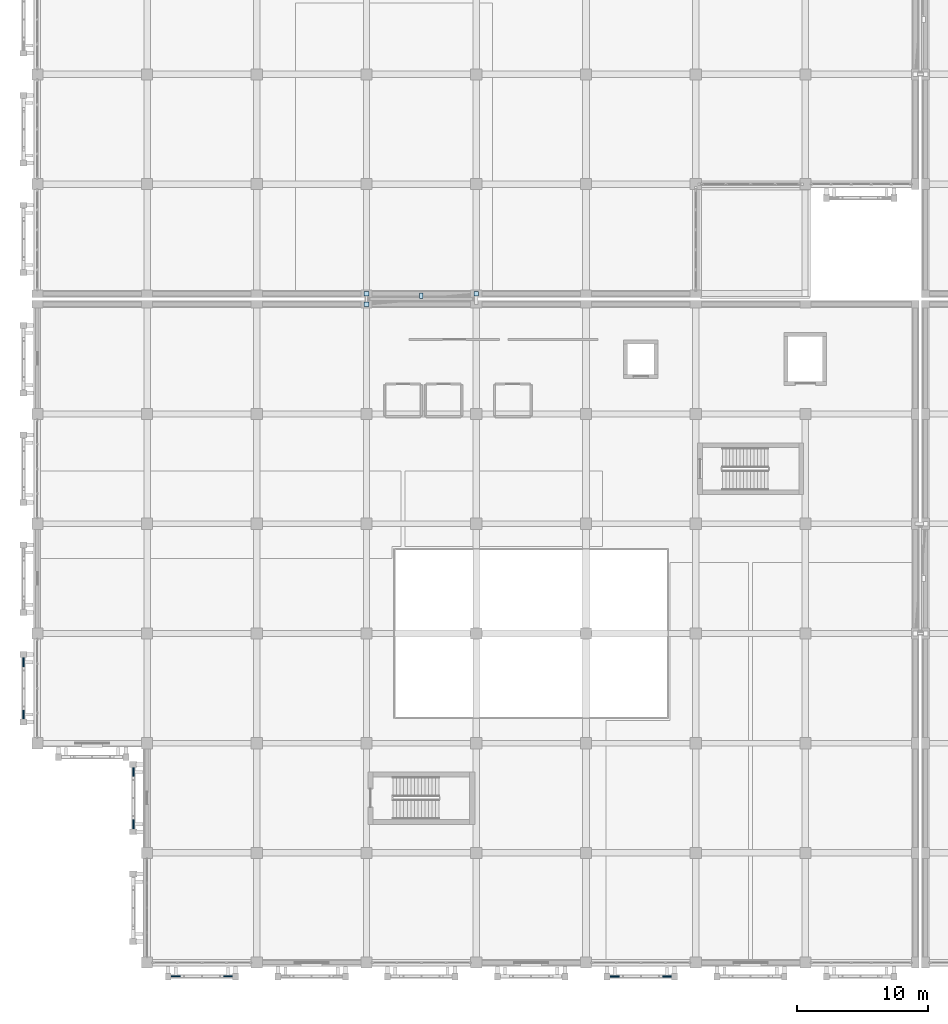
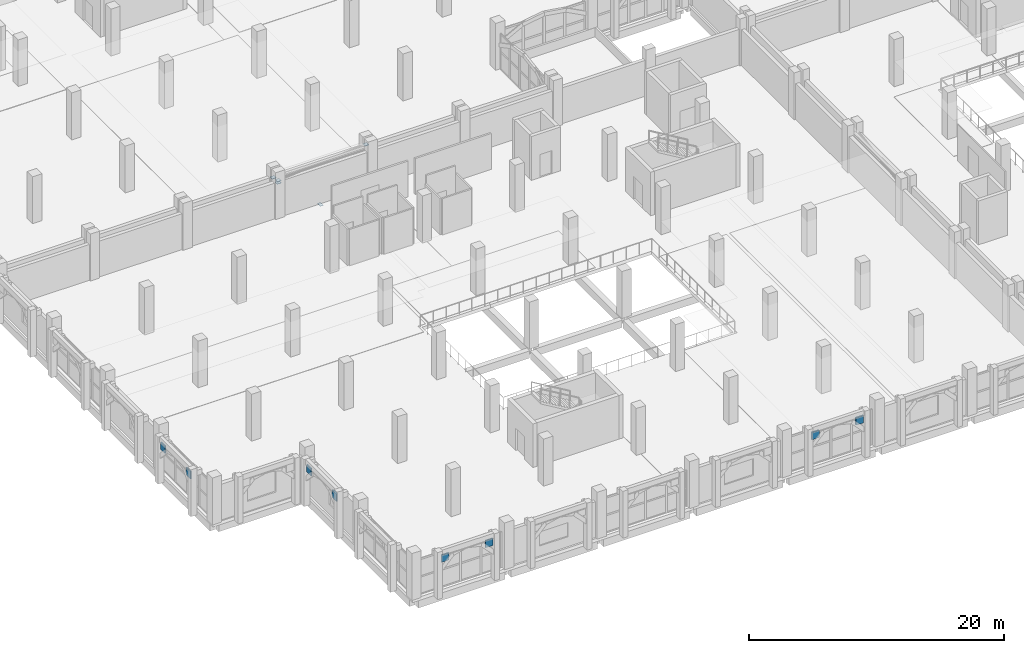
# One storey, part 108 of 137: 13 plates.
"""IFC4 building model written with IfcOpenShell, lengths in metres."""

from ifc_helpers import new_model, si_unit, direction, frame, origin, origin_2d, place, context, subcontext, project, spatial, rectangle, extrude, material, layer, layer_set, type_object, element, save


model = new_model("IFC4")

# Units and contexts
model_context = context("Model", 3, precision=1e-05, world=origin(), true_north=direction((0.0, 1.0)))
body_context = subcontext(model_context, "Body", "Model", "MODEL_VIEW")
ifc_project = project(units=[si_unit("LENGTHUNIT", "METRE"), si_unit("AREAUNIT", "SQUARE_METRE"), si_unit("VOLUMEUNIT", "CUBIC_METRE"), si_unit("PLANEANGLEUNIT", "RADIAN"), si_unit("MASSUNIT", "GRAM", prefix="KILO")], contexts=[model_context])

# Site, building, storey
site_placement = place(None, origin())
site = spatial("IfcSite", under=ifc_project, at=site_placement, CompositionType="ELEMENT")
building_placement = place(site_placement, origin())
building = spatial("IfcBuilding", under=site, at=building_placement, Name="Xazarin Passage Department Store", CompositionType="ELEMENT")
storey_placement = place(building_placement, frame((0.0, 0.0, 5.39990234375)))
storey = spatial("IfcBuildingStorey", under=building, at=storey_placement, Name="L01", CompositionType="ELEMENT", Elevation=5.39990234375)

# Plates
ifc_material_1 = material(Name="Precast concrete C40/50", Category="concrete")
ifc_layer_1 = layer(ifc_material_1, 0.080078125)
ifc_layer_set_1 = layer_set([ifc_layer_1], Name="Precast concrete C40/50")
plate_type_1 = type_object("IfcPlateType", Name="ARC-PLT-SCR-01", PredefinedType="USERDEFINED", material=ifc_layer_set_1)
for number, where, z_axis, x_axis, name in (
    (1, (10.60009765625, -1.050048828125, 3.26025390625), (0.0, 0.0, 1.0), (1.0, 0.0, 0.0), "L01 V3 Arch Spandrel Tympanum 0221"),
    (2, (14.60009765625, -1.050048828125, 3.26025390625), (0.0, 0.0, 1.0), (1.0, 0.0, 0.0), "L01 V3 Arch Spandrel Tympanum 0222"),
):
    element("IfcPlate", number, at=place(storey_placement, frame(where, z_axis=z_axis, x_axis=x_axis)), inside=storey, type_object=plate_type_1, Name=name, ObjectType="SCREEN PANEL", PredefinedType="USERDEFINED", context=body_context, shape_type="SweptSolid", body=[
        extrude(rectangle(XDim=0.679931640625, YDim=0.080078125, at=origin_2d()), origin(), (0.0, 0.0, 1.0), 0.719970703125),
    ])
ifc_layer_2 = layer(ifc_material_1, 0.10009765625)
ifc_layer_set_2 = layer_set([ifc_layer_2], Name="Precast concrete C40/50")
plate_type_2 = type_object("IfcPlateType", Name="ARC-PLT-SCR-03", PredefinedType="USERDEFINED", material=ifc_layer_set_2)
for number, where, z_axis, x_axis, name in (
    (3, (-1.050048828125, 19.0, 3.26025390625), (0.0, 0.0, 1.0), (0.0, 1.0, 0.0), "L01 V3 Arch Spandrel Tympanum 0263"),
    (4, (-1.050048828125, 23.0, 3.26025390625), (0.0, 0.0, 1.0), (0.0, 1.0, 0.0), "L01 V3 Arch Spandrel Tympanum 0264"),
):
    element("IfcPlate", number, at=place(storey_placement, frame(where, z_axis=z_axis, x_axis=x_axis)), inside=storey, type_object=plate_type_2, Name=name, ObjectType="SCREEN PANEL", PredefinedType="USERDEFINED", context=body_context, shape_type="SweptSolid", body=[
        extrude(rectangle(XDim=0.679931640625, YDim=0.10009765625, at=origin_2d()), origin(), (0.0, 0.0, 1.0), 0.719970703125),
    ])
ifc_layer_3 = layer(ifc_material_1, 0.1201171875)
ifc_layer_set_3 = layer_set([ifc_layer_3], Name="Precast concrete C40/50")
plate_type_3 = type_object("IfcPlateType", Name="ARC-PLT-SCR-05", PredefinedType="USERDEFINED", material=ifc_layer_set_3)
for number, where, z_axis, x_axis, name in (
    (5, (44.199951171875, -1.050048828125, 3.26025390625), (0.0, 0.0, 1.0), (1.0, 0.0, 0.0), "L01 V3 Arch Spandrel Tympanum 0245"),
    (6, (48.199951171875, -1.050048828125, 3.26025390625), (0.0, 0.0, 1.0), (1.0, 0.0, 0.0), "L01 V3 Arch Spandrel Tympanum 0246"),
    (7, (7.35009765625, 10.60009765625, 3.26025390625), (0.0, 0.0, 1.0), (0.0, 1.0, 0.0), "L01 V3 Arch Spandrel Tympanum 0285"),
    (8, (7.35009765625, 14.60009765625, 3.26025390625), (0.0, 0.0, 1.0), (0.0, 1.0, 0.0), "L01 V3 Arch Spandrel Tympanum 0286"),
):
    element("IfcPlate", number, at=place(storey_placement, frame(where, z_axis=z_axis, x_axis=x_axis)), inside=storey, type_object=plate_type_3, Name=name, ObjectType="SCREEN PANEL", PredefinedType="USERDEFINED", context=body_context, shape_type="SweptSolid", body=[
        extrude(rectangle(XDim=0.679931640625, YDim=0.1201171875, at=origin_2d()), origin(), (0.0, 0.0, 1.0), 0.719970703125),
    ])
ifc_material_2 = material(Name="Steel S355", Category="steel")
ifc_layer_4 = layer(ifc_material_2, 0.030029296875)
ifc_layer_set_4 = layer_set([ifc_layer_4], Name="Steel S355")
plate_type_4 = type_object("IfcPlateType", Name="STR-PLT-BRG30", PredefinedType="USERDEFINED", material=ifc_layer_set_4)
plate_placement = place(storey_placement, frame((29.39990234375, 51.050048828125, -0.72998046875), z_axis=(0.0, 0.0, 1.0), x_axis=(1.0, 0.0, 0.0)))
element("IfcPlate", 9, at=plate_placement, inside=storey, type_object=plate_type_4, Name="L01 BR-V1-V3 PTFE Sliding Bearing Plate", ObjectType="BASE PLATE", PredefinedType="USERDEFINED", context=body_context, shape_type="SweptSolid", body=[
    extrude(rectangle(XDim=0.280029296875, YDim=0.449951171875, at=origin_2d()), origin(), (0.0, 0.0, 1.0), 0.030029296875),
])
ifc_layer_5 = layer(ifc_material_2, 0.02001953125)
ifc_layer_set_5 = layer_set([ifc_layer_5], Name="Steel S355")
plate_type_5 = type_object("IfcPlateType", Name="STR-PLT-CAP20", PredefinedType="USERDEFINED", material=ifc_layer_set_5)
for number, where, z_axis, x_axis, name in (
    (10, (25.199951171875, 50.39990234375, 3.23193359375), (0.0, 0.0, 1.0), (1.0, 0.0, 0.0), "L01 BR-V1-V3 Bridge Member End Cap 1"),
    (11, (25.199951171875, 51.199951171875, 3.23193359375), (0.0, 0.0, 1.0), (1.0, 0.0, 0.0), "L01 BR-V1-V3 Bridge Member End Cap 2"),
    (12, (25.199951171875, 50.39990234375, 3.45703125), (0.0, 0.0, 1.0), (1.0, 0.0, 0.0), "L01 BR-V1-V3 Bridge Member End Cap 3"),
    (13, (33.60009765625, 51.199951171875, 3.45703125), (0.0, 0.0, 1.0), (1.0, 0.0, 0.0), "L01 BR-V1-V3 Bridge Member End Cap 4"),
):
    element("IfcPlate", number, at=place(storey_placement, frame(where, z_axis=z_axis, x_axis=x_axis)), inside=storey, type_object=plate_type_5, Name=name, ObjectType="GUSSET PLATE", PredefinedType="USERDEFINED", context=body_context, shape_type="SweptSolid", body=[
        extrude(rectangle(XDim=0.360107421875, YDim=0.360107421875, at=origin_2d()), origin(), (0.0, 0.0, 1.0), 0.035888671875),
    ])

save(model, "model.ifc")
